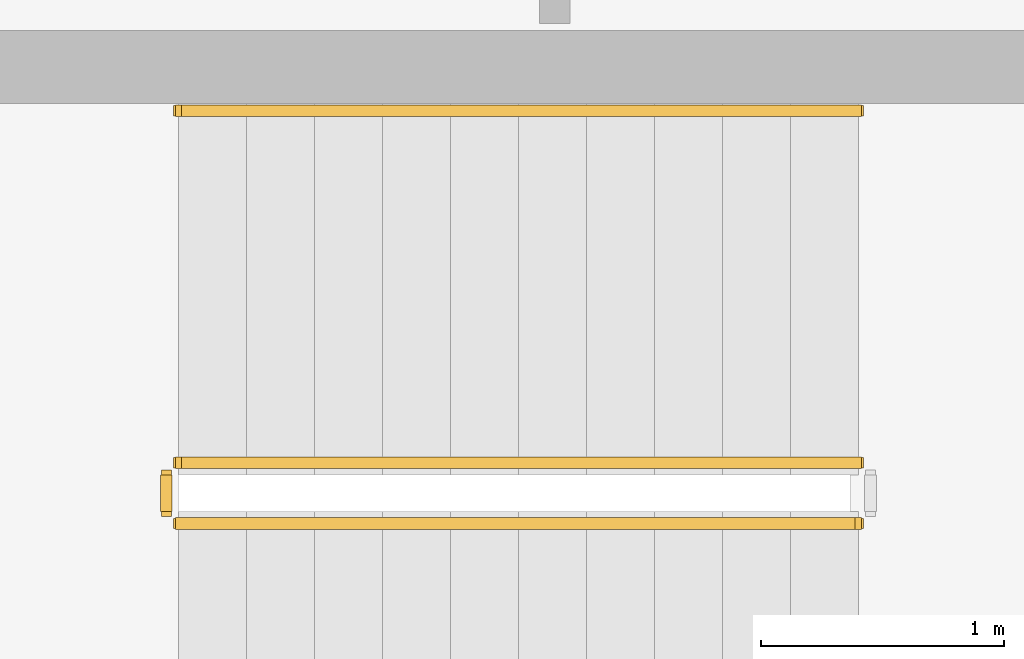
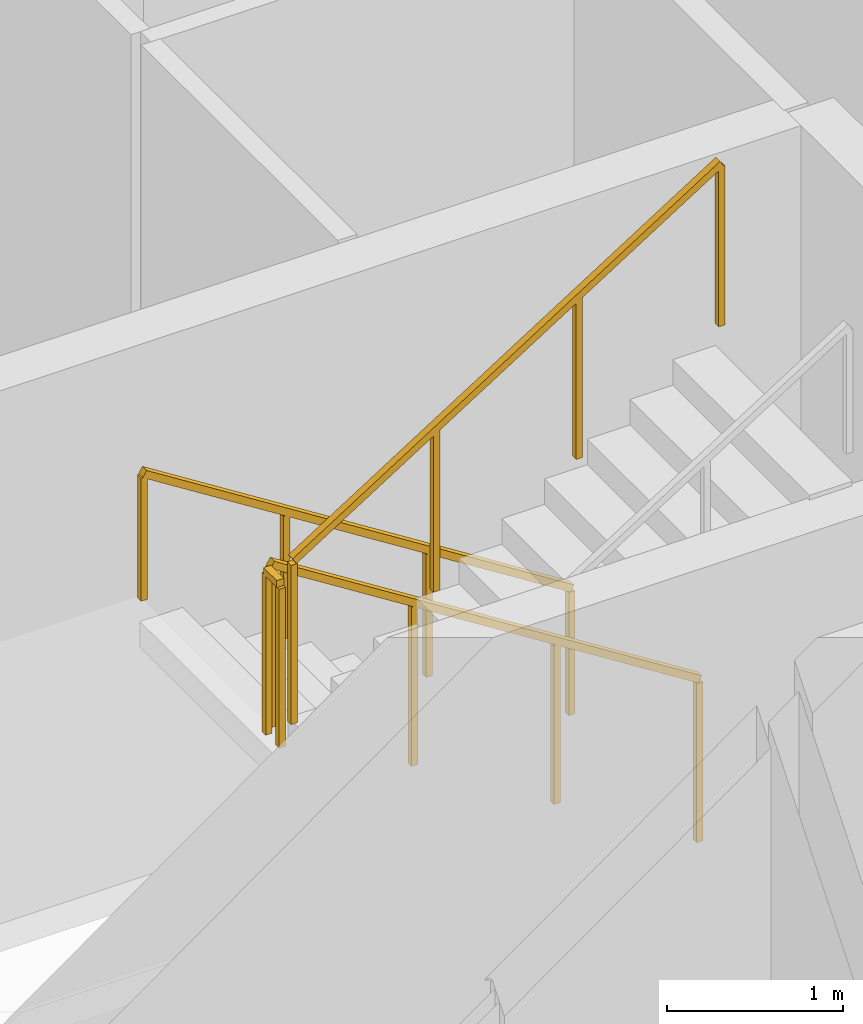
# One storey, part 9 of 13: 4 railings.
"""IFC4 building model written with IfcOpenShell, lengths in metres."""

from ifc_helpers import new_model, si_unit, direction, frame, origin, origin_2d, place, context, subcontext, project, spatial, rectangle, extrude, material, type_object, element, save


model = new_model("IFC4")

# Units and contexts
model_context = context("Model", 3, precision=1e-05, world=origin(), true_north=direction((0.0, 1.0)))
body_context = subcontext(model_context, "Body", "Model", "MODEL_VIEW")
ifc_project = project(units=[si_unit("LENGTHUNIT", "METRE"), si_unit("AREAUNIT", "SQUARE_METRE"), si_unit("VOLUMEUNIT", "CUBIC_METRE"), si_unit("PLANEANGLEUNIT", "RADIAN"), si_unit("MASSUNIT", "GRAM", prefix="KILO")], contexts=[model_context])

# Site, building, storey
site_placement = place(None, origin())
site = spatial("IfcSite", under=ifc_project, at=site_placement, CompositionType="ELEMENT")
building_placement = place(site_placement, origin())
building = spatial("IfcBuilding", under=site, at=building_placement, Name="Mawjaban Terraces University", CompositionType="ELEMENT")
storey_placement = place(building_placement, frame((0.0, 0.0, 199.199951171875)))
storey = spatial("IfcBuildingStorey", under=building, at=storey_placement, Name="L48", CompositionType="ELEMENT", Elevation=199.199951171875)

# Railings
ifc_material_1 = material(Name="Brushed stainless steel 316", Category="steel")
railing_type_1 = type_object("IfcRailingType", Name="StairWallHandrail_900", PredefinedType="HANDRAIL", material=ifc_material_1)
railing_1_placement = place(storey_placement, frame((30.050048828125, 18.800048828125, 0.17724609375)))
element("IfcRailing", 1, at=railing_1_placement, inside=storey, type_object=railing_type_1, Name="L48 ST-2 stair handrail 1", PredefinedType="HANDRAIL", context=body_context, shape_type="SweptSolid", body=[
    extrude(rectangle(XDim=0.048095703125, YDim=0.048095703125, at=origin_2d()), frame((0.0, 0.0, 0.8759765625), z_axis=(-0.844908973607, 0.0, 0.534910110503), x_axis=(0.0, -1.0, 0.0)), (0.0, 0.0, 1.0), 3.31396484375),
    extrude(rectangle(XDim=0.0419921875, YDim=0.0419921875, at=origin_2d()), origin(), (0.0, 0.0, 1.0), 0.851806640625),
    extrude(rectangle(XDim=0.0419921875, YDim=0.0419921875, at=origin_2d()), frame((-0.933349609375, 0.0, 0.5908203125)), (0.0, 0.0, 1.0), 0.851806640625),
    extrude(rectangle(XDim=0.0419921875, YDim=0.0419921875, at=origin_2d()), frame((-1.86669921875, 0.0, 1.181884765625)), (0.0, 0.0, 1.0), 0.851806640625),
    extrude(rectangle(XDim=0.0419921875, YDim=0.0419921875, at=origin_2d()), frame((-2.800048828125, 0.0, 1.772705078125)), (0.0, 0.0, 1.0), 0.851806640625),
])
ifc_material_2 = material(Name="Galvanised painted steel S355", Category="steel")
railing_type_2 = type_object("IfcRailingType", Name="StairWellGuard_1150", PredefinedType="BALUSTRADE", material=ifc_material_2)
railing_2_placement = place(storey_placement, frame((30.050048828125, 17.35009765625, 0.17724609375)))
element("IfcRailing", 2, at=railing_2_placement, inside=storey, type_object=railing_type_2, Name="L48 ST-2 stair guard 1", PredefinedType="BALUSTRADE", context=body_context, shape_type="SweptSolid", body=[
    extrude(rectangle(XDim=0.048095703125, YDim=0.048095703125, at=origin_2d()), frame((0.0, 0.0, 1.1259765625), z_axis=(-0.844908973607, 0.0, 0.534910110503), x_axis=(0.0, -1.0, 0.0)), (0.0, 0.0, 1.0), 3.31396484375),
    extrude(rectangle(XDim=0.0419921875, YDim=0.0419921875, at=origin_2d()), origin(), (0.0, 0.0, 1.0), 1.101806640625),
    extrude(rectangle(XDim=0.0419921875, YDim=0.0419921875, at=origin_2d()), frame((-0.933349609375, 0.0, 0.5908203125)), (0.0, 0.0, 1.0), 1.101806640625),
    extrude(rectangle(XDim=0.0419921875, YDim=0.0419921875, at=origin_2d()), frame((-1.86669921875, 0.0, 1.181884765625)), (0.0, 0.0, 1.0), 1.101806640625),
    extrude(rectangle(XDim=0.0419921875, YDim=0.0419921875, at=origin_2d()), frame((-2.800048828125, 0.0, 1.772705078125)), (0.0, 0.0, 1.0), 1.101806640625),
])
railing_3_placement = place(storey_placement, frame((27.199951171875, 17.300048828125, 1.949951171875)))
element("IfcRailing", 3, at=railing_3_placement, inside=storey, type_object=railing_type_2, Name="L48 ST-2 stair guard 2", PredefinedType="BALUSTRADE", context=body_context, shape_type="SweptSolid", body=[
    extrude(rectangle(XDim=0.048095703125, YDim=0.048095703125, at=origin_2d()), frame((0.0, 0.0, 1.1259765625), z_axis=(0.0, -1.0, 0.0), x_axis=(1.0, 0.0, 0.0)), (0.0, 0.0, 1.0), 0.150146484375),
    extrude(rectangle(XDim=0.0419921875, YDim=0.0419921875, at=origin_2d()), origin(), (0.0, 0.0, 1.0), 1.101806640625),
    extrude(rectangle(XDim=0.0419921875, YDim=0.0419921875, at=origin_2d()), frame((0.0, -0.150146484375, 0.0)), (0.0, 0.0, 1.0), 1.101806640625),
])
railing_4_placement = place(storey_placement, frame((27.25, 17.10009765625, 2.12744140625)))
element("IfcRailing", 4, at=railing_4_placement, inside=storey, type_object=railing_type_2, Name="L48 ST-2 stair guard 3", PredefinedType="BALUSTRADE", context=body_context, shape_type="SweptSolid", body=[
    extrude(rectangle(XDim=0.048095703125, YDim=0.048095703125, at=origin_2d()), frame((0.0, 0.0, 1.1259765625), z_axis=(0.844908973607, 0.0, 0.534910110503), x_axis=(0.0, 1.0, 0.0)), (0.0, 0.0, 1.0), 3.31396484375),
    extrude(rectangle(XDim=0.0419921875, YDim=0.0419921875, at=origin_2d()), origin(), (0.0, 0.0, 1.0), 1.101806640625),
    extrude(rectangle(XDim=0.0419921875, YDim=0.0419921875, at=origin_2d()), frame((0.933349609375, 0.0, 0.5908203125)), (0.0, 0.0, 1.0), 1.101806640625),
    extrude(rectangle(XDim=0.0419921875, YDim=0.0419921875, at=origin_2d()), frame((1.86669921875, 0.0, 1.181884765625)), (0.0, 0.0, 1.0), 1.101806640625),
    extrude(rectangle(XDim=0.0419921875, YDim=0.0419921875, at=origin_2d()), frame((2.800048828125, 0.0, 1.772705078125)), (0.0, 0.0, 1.0), 1.101806640625),
])

save(model, "model.ifc")
